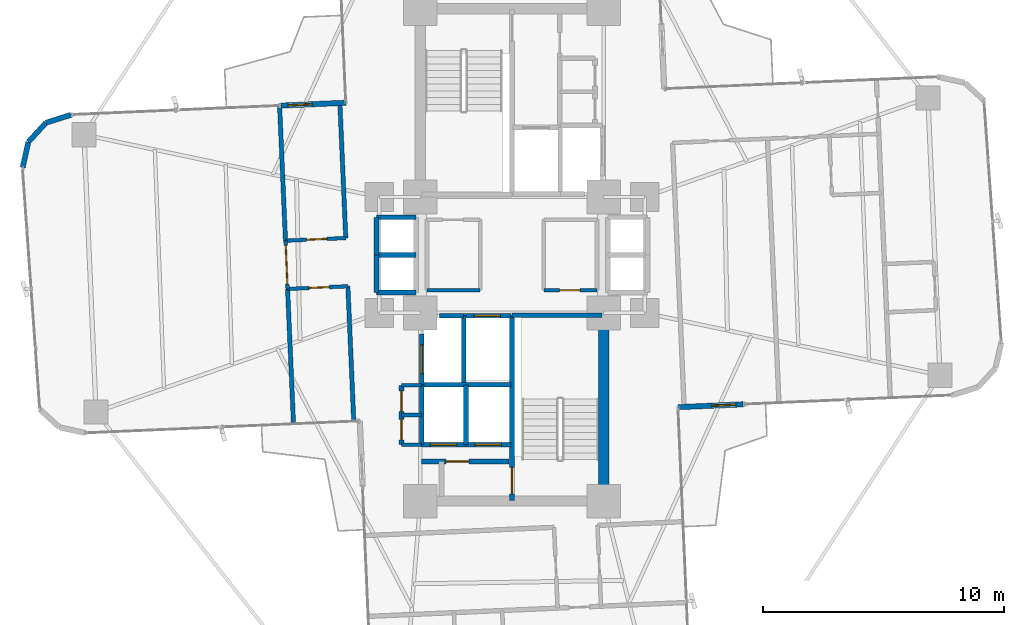
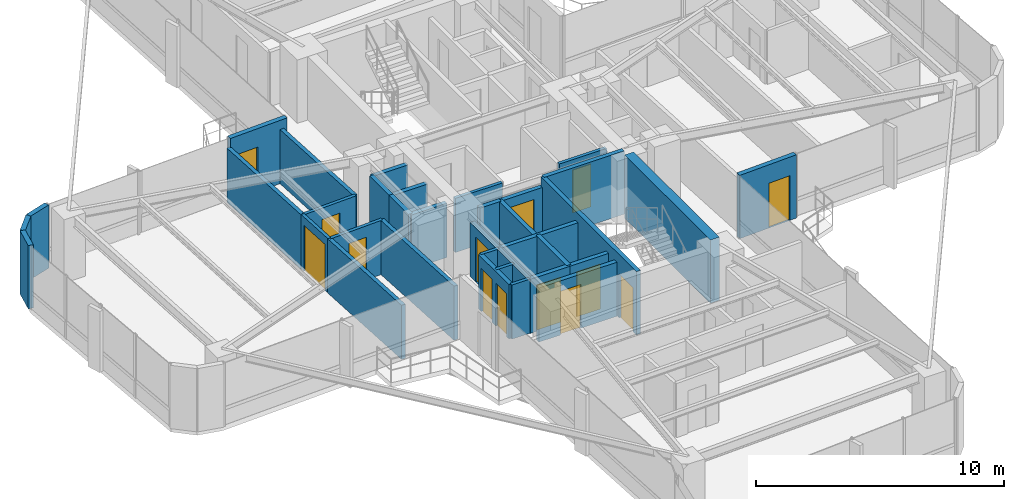
# One storey, part 23 of 26: 36 walls, 14 doors, 14 openings.
"""IFC4 building model written with IfcOpenShell, lengths in metres."""

from ifc_helpers import new_model, si_unit, direction, frame, frame_2d, origin, origin_2d, place, context, subcontext, project, spatial, rectangle, extrude, source, transform, mapped, material, layer, layer_set, type_object, element, fill, save


model = new_model("IFC4")

# Units and contexts
model_context = context("Model", 3, precision=1e-05, world=origin(), true_north=direction((0.0, 1.0)))
body_context = subcontext(model_context, "Body", "Model", "MODEL_VIEW")
ifc_project = project(units=[si_unit("LENGTHUNIT", "METRE"), si_unit("AREAUNIT", "SQUARE_METRE"), si_unit("VOLUMEUNIT", "CUBIC_METRE"), si_unit("PLANEANGLEUNIT", "RADIAN"), si_unit("MASSUNIT", "GRAM", prefix="KILO")], contexts=[model_context])

# Site, building, storey
site_placement = place(None, origin())
site = spatial("IfcSite", under=ifc_project, at=site_placement, CompositionType="ELEMENT")
building_placement = place(site_placement, origin())
building = spatial("IfcBuilding", under=site, at=building_placement, Name="Sahyath Konkavel Grand Hotel", CompositionType="ELEMENT")
storey_placement = place(building_placement, frame((0.0, 0.0, 93.550048828125)))
storey = spatial("IfcBuildingStorey", under=building, at=storey_placement, Name="L25", CompositionType="ELEMENT", Elevation=93.550048828125)

# Wall
ifc_material_1 = material(Name="Concrete C50/60", Category="concrete")
ifc_layer_1 = layer(ifc_material_1, 0.419921875)
ifc_layer_set_1 = layer_set([ifc_layer_1], Name="Concrete C50/60")
wall_type_1 = type_object("IfcWallType", Name="CWALL-420", PredefinedType="SHEAR", material=ifc_layer_set_1)
wall_1_placement = place(storey_placement, frame((3.800048828125, -9.75, 0.0), z_axis=(0.0, 0.0, 1.0), x_axis=(0.0, 1.0, 0.0)))
element("IfcWall", 1, at=wall_1_placement, inside=storey, type_object=wall_type_1, Name="L25 South Core Shear Wall E", PredefinedType="SHEAR", context=body_context, shape_type="SweptSolid", body=[
    extrude(rectangle(XDim=6.89990234375, YDim=0.419921875, at=frame_2d((3.449951171875, 0.0))), origin(), (0.0, 0.0, 1.0), 3.10986328125),
])

# Wall, opening, door
ifc_material_2 = material(Name="Warm Buff Sandstone Insulated Concrete C40/50", Category="masonry")
ifc_layer_2 = layer(ifc_material_2, 0.219970703125)
ifc_layer_set_2 = layer_set([ifc_layer_2], Name="Warm Buff Sandstone Insulated Concrete C40/50")
wall_type_2 = type_object("IfcWallType", Name="WLL-BALC-THRESH", PredefinedType="STANDARD", material=ifc_layer_set_2)
wall_2_placement = place(storey_placement, frame((6.881591796875, -6.305908203125, 0.0), z_axis=(0.0, 0.0, 1.0), x_axis=(0.999045894436, 0.043672655174, 0.0)))
wall_2 = element("IfcWall", 2, at=wall_2_placement, inside=storey, type_object=wall_type_2, Name="L25 Winter-Garden Threshold Wall 0", PredefinedType="STANDARD", context=body_context, shape_type="SweptSolid", body=[
    extrude(rectangle(XDim=2.7001953125, YDim=0.219970703125, at=frame_2d((1.35009765625, 0.0))), origin(), (0.0, 0.0, 1.0), 3.10986328125),
])
opening_1_placement = place(wall_2_placement, frame((1.39990234375, 0.0, 0.0)))
opening_1 = element("IfcOpeningElement", 3, at=opening_1_placement, cuts=wall_2, Name="Opening D-TR1", PredefinedType="OPENING", context=body_context, shape_type="SweptSolid", body=[
    extrude(rectangle(XDim=1.0, YDim=2.199951171875, at=frame_2d((0.5, 1.10009765625))), frame((0.0, 0.1201171875, 0.0), z_axis=(0.0, -1.0, 0.0), x_axis=(1.0, 0.0, 0.0)), (0.0, 0.0, 1.0), 0.239990234375),
])
ifc_material_3 = material(Name="Anodised Bronze Aluminium & Low-E Glazing", Category="aluminium")
door_type_1 = type_object("IfcDoorType", Name="DR-TERRACE-1000", OperationType="NOTDEFINED", PredefinedType="DOOR", material=ifc_material_3)
shared_shape_1 = source(origin(), body_context, "Body", "SweptSolid", [
    extrude(rectangle(XDim=1.0, YDim=0.050048828125, at=origin_2d()), origin(), (0.0, 0.0, 1.0), 2.199951171875),
])
door_1_placement = place(opening_1_placement, frame((0.5, 0.0, 0.0)))
door_1 = element("IfcDoor", 4, at=door_1_placement, inside=storey, type_object=door_type_1, Name="L25 Winter-Garden Terrace Door 0", OperationType="SINGLE_SWING_LEFT", OverallHeight=2.199951171875, OverallWidth=1.0, PredefinedType="DOOR", context=body_context, shape_type="MappedRepresentation", body=[
    mapped(shared_shape_1, transform((0.0, 0.0, 0.0), scale=1.0)),
])
fill(opening_1, door_1)

wall_3_placement = place(storey_placement, frame((-6.881591796875, 6.305908203125, 0.0), z_axis=(0.0, 0.0, 1.0), x_axis=(-0.999045894436, -0.043672655174, 0.0)))
wall_3 = element("IfcWall", 5, at=wall_3_placement, inside=storey, type_object=wall_type_2, Name="L25 Winter-Garden Threshold Wall 16", PredefinedType="STANDARD", context=body_context, shape_type="SweptSolid", body=[
    extrude(rectangle(XDim=2.7001953125, YDim=0.219970703125, at=frame_2d((1.35009765625, 0.0))), origin(), (0.0, 0.0, 1.0), 3.10986328125),
])
opening_2_placement = place(wall_3_placement, frame((1.39990234375, 0.0, 0.0)))
opening_2 = element("IfcOpeningElement", 6, at=opening_2_placement, cuts=wall_3, Name="Opening D-TR1", PredefinedType="OPENING", context=body_context, shape_type="SweptSolid", body=[
    extrude(rectangle(XDim=1.0, YDim=2.199951171875, at=frame_2d((0.5, 1.10009765625))), frame((0.0, 0.1201171875, 0.0), z_axis=(0.0, -1.0, 0.0), x_axis=(1.0, 0.0, 0.0)), (0.0, 0.0, 1.0), 0.239990234375),
])
door_2_placement = place(opening_2_placement, frame((0.5, 0.0, 0.0)))
door_2 = element("IfcDoor", 7, at=door_2_placement, inside=storey, type_object=door_type_1, Name="L25 Winter-Garden Terrace Door 16", OperationType="SINGLE_SWING_LEFT", OverallHeight=2.199951171875, OverallWidth=1.0, PredefinedType="DOOR", context=body_context, shape_type="MappedRepresentation", body=[
    mapped(shared_shape_1, transform((0.0, 0.0, 0.0), scale=1.0)),
])
fill(opening_2, door_2)

# Walls
for number, where, z_axis, x_axis, name in (
    (8, (-18.270751953125, 5.80859375, 0.0), (0.0, 0.0, 1.0), (-0.953721713582, -0.30069069331, 0.0), "L25 Rounded Corner Sandstone Pier 17"),
    (9, (-19.3076171875, 5.481689453125, 0.0), (0.0, 0.0, 1.0), (-0.675551721847, -0.737312600672, 0.0), "L25 Rounded Corner Sandstone Pier 18"),
):
    element("IfcWall", number, at=place(storey_placement, frame(where, z_axis=z_axis, x_axis=x_axis)), inside=storey, type_object=wall_type_2, Name=name, PredefinedType="STANDARD", context=body_context, shape_type="SweptSolid", body=[
        extrude(rectangle(XDim=1.087158203125, YDim=0.219970703125, at=frame_2d((0.54345703125, 0.0))), origin(), (0.0, 0.0, 1.0), 3.10986328125),
    ])
wall_4_placement = place(storey_placement, frame((-20.0419921875, 4.68017578125, 0.0), z_axis=(0.0, 0.0, 1.0), x_axis=(-0.216288323511, -0.976329535102, 0.0)))
element("IfcWall", 10, at=wall_4_placement, inside=storey, type_object=wall_type_2, Name="L25 Rounded Corner Sandstone Pier 19", PredefinedType="STANDARD", context=body_context, shape_type="SweptSolid", body=[
    extrude(rectangle(XDim=1.0869140625, YDim=0.219970703125, at=frame_2d((0.54345703125, 0.0))), origin(), (0.0, 0.0, 1.0), 3.10986328125),
])

# Wall, opening, door
ifc_material_4 = material(Name="Concrete C40/50", Category="concrete")
ifc_layer_3 = layer(ifc_material_4, 0.199951171875)
ifc_layer_set_3 = layer_set([ifc_layer_3], Name="Concrete C40/50")
wall_type_3 = type_object("IfcWallType", Name="WLL-CORE-200", PredefinedType="SOLIDWALL", material=ifc_layer_set_3)
wall_5_placement = place(storey_placement, frame((0.0, -10.179931640625, 0.0), z_axis=(0.0, 0.0, 1.0), x_axis=(0.0, 1.0, 0.0)))
wall_5 = element("IfcWall", 11, at=wall_5_placement, inside=storey, type_object=wall_type_3, Name="L25 Stair ST-2 Shaft Wall W", PredefinedType="SOLIDWALL", context=body_context, shape_type="SweptSolid", body=[
    extrude(rectangle(XDim=7.679931640625, YDim=0.199951171875, at=frame_2d((3.83984375, 0.0))), origin(), (0.0, 0.0, 1.0), 3.10986328125),
])
opening_3_placement = place(wall_5_placement, frame((0.280029296875, 0.0, 0.0)))
opening_3 = element("IfcOpeningElement", 12, at=opening_3_placement, cuts=wall_5, Name="Opening D-F12B", PredefinedType="OPENING", context=body_context, shape_type="SweptSolid", body=[
    extrude(rectangle(XDim=1.10009765625, YDim=2.14990234375, at=frame_2d((0.550048828125, 1.074951171875))), frame((0.0, 0.10986328125, 0.0), z_axis=(0.0, -1.0, 0.0), x_axis=(1.0, 0.0, 0.0)), (0.0, 0.0, 1.0), 0.219970703125),
])
ifc_material_5 = material(Name="Steel E350 Smokeproof Fire Door", Category="steel")
door_type_2 = type_object("IfcDoorType", Name="DR-FD120-1100", OperationType="NOTDEFINED", PredefinedType="DOOR", material=ifc_material_5)
shared_shape_2 = source(origin(), body_context, "Body", "SweptSolid", [
    extrude(rectangle(XDim=1.10009765625, YDim=0.050048828125, at=origin_2d()), origin(), (0.0, 0.0, 1.0), 2.14990234375),
])
door_3_placement = place(opening_3_placement, frame((0.550048828125, 0.0, 0.0)))
door_3 = element("IfcDoor", 13, at=door_3_placement, inside=storey, type_object=door_type_2, Name="L25 Stair ST-2 Fire Door", OperationType="SINGLE_SWING_RIGHT", OverallHeight=2.14990234375, OverallWidth=1.10009765625, PredefinedType="DOOR", context=body_context, shape_type="MappedRepresentation", body=[
    mapped(shared_shape_2, transform((0.0, 0.0, 0.0), scale=1.0)),
])
fill(opening_3, door_3)

# Walls
wall_6_placement = place(storey_placement, frame((0.0, -2.5, 0.0), z_axis=(0.0, 0.0, 1.0), x_axis=(1.0, 0.0, 0.0)))
element("IfcWall", 14, at=wall_6_placement, inside=storey, type_object=wall_type_3, Name="L25 Stair ST-2 Shaft Wall N", PredefinedType="SOLIDWALL", context=body_context, shape_type="SweptSolid", body=[
    extrude(rectangle(XDim=3.719970703125, YDim=0.199951171875, at=frame_2d((1.85986328125, 0.0))), origin(), (0.0, 0.0, 1.0), 3.10986328125),
])
wall_7_placement = place(storey_placement, frame((-2.0, -5.280029296875, 0.0), z_axis=(0.0, 0.0, 1.0), x_axis=(0.0, 1.0, 0.0)))
element("IfcWall", 15, at=wall_7_placement, inside=storey, type_object=wall_type_3, Name="L25 Partition SH-FFL2-W", PredefinedType="SOLIDWALL", context=body_context, shape_type="SweptSolid", body=[
    extrude(rectangle(XDim=2.780029296875, YDim=0.199951171875, at=frame_2d((1.39013671875, 0.0))), origin(), (0.0, 0.0, 1.0), 2.659912109375),
])

# Wall, opening, door
wall_8_placement = place(storey_placement, frame((-2.0, -2.52001953125, 0.0), z_axis=(0.0, 0.0, 1.0), x_axis=(1.0, 0.0, 0.0)))
wall_8 = element("IfcWall", 16, at=wall_8_placement, inside=storey, type_object=wall_type_3, Name="L25 Partition SH-FFL2-N", PredefinedType="SOLIDWALL", context=body_context, shape_type="SweptSolid", body=[
    extrude(rectangle(XDim=1.949951171875, YDim=0.199951171875, at=frame_2d((0.97509765625, 0.0))), origin(), (0.0, 0.0, 1.0), 2.659912109375),
])
opening_4_placement = place(wall_8_placement, frame((0.419921875, 0.0, 0.0)))
opening_4 = element("IfcOpeningElement", 17, at=opening_4_placement, cuts=wall_8, Name="Opening LD-11", PredefinedType="OPENING", context=body_context, shape_type="SweptSolid", body=[
    extrude(rectangle(XDim=1.10009765625, YDim=2.199951171875, at=frame_2d((0.550048828125, 1.10009765625))), frame((0.0, 0.10986328125, 0.0), z_axis=(0.0, -1.0, 0.0), x_axis=(1.0, 0.0, 0.0)), (0.0, 0.0, 1.0), 0.219970703125),
])
ifc_material_6 = material(Name="Bronze Lift Landing Door 1100")
door_type_3 = type_object("IfcDoorType", Name="DR-LIFT-1100", OperationType="DOUBLE_DOOR_SLIDING", PredefinedType="DOOR", material=ifc_material_6)
shared_shape_3 = source(origin(), body_context, "Body", "SweptSolid", [
    extrude(rectangle(XDim=1.10009765625, YDim=0.050048828125, at=origin_2d()), origin(), (0.0, 0.0, 1.0), 2.199951171875),
])
door_4_placement = place(opening_4_placement, frame((0.550048828125, 0.0, 0.0)))
door_4 = element("IfcDoor", 18, at=door_4_placement, inside=storey, type_object=door_type_3, Name="L25 Lift FFL-2 Landing Door", OperationType="DOUBLE_DOOR_SLIDING", OverallHeight=2.199951171875, OverallWidth=1.10009765625, PredefinedType="DOOR", context=body_context, shape_type="MappedRepresentation", body=[
    mapped(shared_shape_3, transform((0.0, 0.0, 0.0), scale=1.0)),
])
fill(opening_4, door_4)

# Wall
wall_9_placement = place(storey_placement, frame((-3.0, -2.52001953125, 0.0), z_axis=(0.0, 0.0, 1.0), x_axis=(1.0, 0.0, 0.0)))
element("IfcWall", 19, at=wall_9_placement, inside=storey, type_object=wall_type_3, Name="L25 Partition SH-SVL2-N", PredefinedType="SOLIDWALL", context=body_context, shape_type="SweptSolid", body=[
    extrude(rectangle(XDim=1.0, YDim=0.199951171875, at=frame_2d((0.5, 0.0))), origin(), (0.0, 0.0, 1.0), 2.659912109375),
])

# Wall, opening, door
wall_10_placement = place(storey_placement, frame((-3.739990234375, -5.360107421875, 0.0), z_axis=(0.0, 0.0, 1.0), x_axis=(0.0, 1.0, 0.0)))
wall_10 = element("IfcWall", 20, at=wall_10_placement, inside=storey, type_object=wall_type_3, Name="L25 Partition SH-SVL2-W", PredefinedType="SOLIDWALL", context=body_context, shape_type="SweptSolid", body=[
    extrude(rectangle(XDim=2.080078125, YDim=0.199951171875, at=frame_2d((1.0400390625, 0.0))), origin(), (0.0, 0.0, 1.0), 2.659912109375),
])
opening_5_placement = place(wall_10_placement, frame((0.43994140625, 0.0, 0.0)))
opening_5 = element("IfcOpeningElement", 21, at=opening_5_placement, cuts=wall_10, Name="Opening LD-12", PredefinedType="OPENING", context=body_context, shape_type="SweptSolid", body=[
    extrude(rectangle(XDim=1.199951171875, YDim=2.199951171875, at=frame_2d((0.60009765625, 1.10009765625))), frame((0.0, 0.10986328125, 0.0), z_axis=(0.0, -1.0, 0.0), x_axis=(1.0, 0.0, 0.0)), (0.0, 0.0, 1.0), 0.219970703125),
])
ifc_material_7 = material(Name="Stainless Steel Lift Landing Door 1200", Category="steel")
door_type_4 = type_object("IfcDoorType", Name="DR-LIFT-1200", OperationType="DOUBLE_DOOR_SLIDING", PredefinedType="DOOR", material=ifc_material_7)
shared_shape_4 = source(origin(), body_context, "Body", "SweptSolid", [
    extrude(rectangle(XDim=1.199951171875, YDim=0.050048828125, at=origin_2d()), origin(), (0.0, 0.0, 1.0), 2.199951171875),
])
door_5_placement = place(opening_5_placement, frame((0.60009765625, 0.0, 0.0)))
door_5 = element("IfcDoor", 22, at=door_5_placement, inside=storey, type_object=door_type_4, Name="L25 Service Lift SVL-2 Landing Door", OperationType="DOUBLE_DOOR_SLIDING", OverallHeight=2.199951171875, OverallWidth=1.199951171875, PredefinedType="DOOR", context=body_context, shape_type="MappedRepresentation", body=[
    mapped(shared_shape_4, transform((0.0, 0.0, 0.0), scale=1.0)),
])
fill(opening_5, door_5)

# Wall
wall_11_placement = place(storey_placement, frame((-3.739990234375, -7.860107421875, 0.0), z_axis=(0.0, 0.0, 1.0), x_axis=(0.0, 1.0, 0.0)))
element("IfcWall", 23, at=wall_11_placement, inside=storey, type_object=wall_type_3, Name="L25 Partition SH-PL3-W", PredefinedType="SOLIDWALL", context=body_context, shape_type="SweptSolid", body=[
    extrude(rectangle(XDim=2.480224609375, YDim=0.199951171875, at=frame_2d((1.240234375, 0.0))), origin(), (0.0, 0.0, 1.0), 2.659912109375),
])

# Wall, opening, door
wall_12_placement = place(storey_placement, frame((-3.739990234375, -7.860107421875, 0.0), z_axis=(0.0, 0.0, 1.0), x_axis=(1.0, 0.0, 0.0)))
wall_12 = element("IfcWall", 24, at=wall_12_placement, inside=storey, type_object=wall_type_3, Name="L25 Partition SH-PL3-S", PredefinedType="SOLIDWALL", context=body_context, shape_type="SweptSolid", body=[
    extrude(rectangle(XDim=1.840087890625, YDim=0.199951171875, at=frame_2d((0.919921875, 0.0))), origin(), (0.0, 0.0, 1.0), 2.659912109375),
])
opening_6_placement = place(wall_12_placement, frame((0.360107421875, 0.0, 0.0)))
opening_6 = element("IfcOpeningElement", 25, at=opening_6_placement, cuts=wall_12, Name="Opening LD-11", PredefinedType="OPENING", context=body_context, shape_type="SweptSolid", body=[
    extrude(rectangle(XDim=1.10009765625, YDim=2.199951171875, at=frame_2d((0.550048828125, 1.10009765625))), frame((0.0, 0.10986328125, 0.0), z_axis=(0.0, -1.0, 0.0), x_axis=(1.0, 0.0, 0.0)), (0.0, 0.0, 1.0), 0.219970703125),
])
door_6_placement = place(opening_6_placement, frame((0.550048828125, 0.0, 0.0)))
door_6 = element("IfcDoor", 26, at=door_6_placement, inside=storey, type_object=door_type_3, Name="L25 Passenger Lift PL-3 Landing Door", OperationType="DOUBLE_DOOR_SLIDING", OverallHeight=2.199951171875, OverallWidth=1.10009765625, PredefinedType="DOOR", context=body_context, shape_type="MappedRepresentation", body=[
    mapped(shared_shape_3, transform((0.0, 0.0, 0.0), scale=1.0)),
])
fill(opening_6, door_6)

# Walls
wall_13_placement = place(storey_placement, frame((-3.739990234375, -5.3798828125, 0.0), z_axis=(0.0, 0.0, 1.0), x_axis=(1.0, 0.0, 0.0)))
element("IfcWall", 27, at=wall_13_placement, inside=storey, type_object=wall_type_3, Name="L25 Partition SH-PL34-N", PredefinedType="SOLIDWALL", context=body_context, shape_type="SweptSolid", body=[
    extrude(rectangle(XDim=3.68994140625, YDim=0.199951171875, at=frame_2d((1.844970703125, 0.0))), origin(), (0.0, 0.0, 1.0), 2.659912109375),
])
wall_14_placement = place(storey_placement, frame((-1.89990234375, -7.860107421875, 0.0), z_axis=(0.0, 0.0, 1.0), x_axis=(0.0, 1.0, 0.0)))
element("IfcWall", 28, at=wall_14_placement, inside=storey, type_object=wall_type_3, Name="L25 Partition SH-PL34-M", PredefinedType="SOLIDWALL", context=body_context, shape_type="SweptSolid", body=[
    extrude(rectangle(XDim=2.480224609375, YDim=0.199951171875, at=frame_2d((1.240234375, 0.0))), origin(), (0.0, 0.0, 1.0), 2.659912109375),
])

# Wall, opening, door
wall_15_placement = place(storey_placement, frame((-1.89990234375, -7.860107421875, 0.0), z_axis=(0.0, 0.0, 1.0), x_axis=(1.0, 0.0, 0.0)))
wall_15 = element("IfcWall", 29, at=wall_15_placement, inside=storey, type_object=wall_type_3, Name="L25 Partition SH-PL4-S", PredefinedType="SOLIDWALL", context=body_context, shape_type="SweptSolid", body=[
    extrude(rectangle(XDim=1.849853515625, YDim=0.199951171875, at=frame_2d((0.9248046875, 0.0))), origin(), (0.0, 0.0, 1.0), 2.659912109375),
])
opening_7_placement = place(wall_15_placement, frame((0.360107421875, 0.0, 0.0)))
opening_7 = element("IfcOpeningElement", 30, at=opening_7_placement, cuts=wall_15, Name="Opening LD-11", PredefinedType="OPENING", context=body_context, shape_type="SweptSolid", body=[
    extrude(rectangle(XDim=1.10009765625, YDim=2.199951171875, at=frame_2d((0.550048828125, 1.10009765625))), frame((0.0, 0.10986328125, 0.0), z_axis=(0.0, -1.0, 0.0), x_axis=(1.0, 0.0, 0.0)), (0.0, 0.0, 1.0), 0.219970703125),
])
door_7_placement = place(opening_7_placement, frame((0.550048828125, 0.0, 0.0)))
door_7 = element("IfcDoor", 31, at=door_7_placement, inside=storey, type_object=door_type_3, Name="L25 Passenger Lift PL-4 Landing Door", OperationType="DOUBLE_DOOR_SLIDING", OverallHeight=2.199951171875, OverallWidth=1.10009765625, PredefinedType="DOOR", context=body_context, shape_type="MappedRepresentation", body=[
    mapped(shared_shape_3, transform((0.0, 0.0, 0.0), scale=1.0)),
])
fill(opening_7, door_7)

# Walls
for number, where, z_axis, x_axis, name in (
    (32, (-5.6201171875, 1.56005859375, 0.0), (0.0, 0.0, 1.0), (1.0, 0.0, 0.0), "L25 Partition SH-SL12-N"),
    (33, (-5.6201171875, -1.56005859375, 0.0), (0.0, 0.0, 1.0), (1.0, 0.0, 0.0), "L25 Partition SH-SL12-S"),
    (34, (-5.6201171875, 0.0, 0.0), (0.0, 0.0, 1.0), (1.0, 0.0, 0.0), "L25 Partition SH-SL12-M"),
):
    element("IfcWall", number, at=place(storey_placement, frame(where, z_axis=z_axis, x_axis=x_axis)), inside=storey, type_object=wall_type_3, Name=name, PredefinedType="SOLIDWALL", context=body_context, shape_type="SweptSolid", body=[
        extrude(rectangle(XDim=1.64013671875, YDim=0.199951171875, at=frame_2d((0.820068359375, 0.0))), origin(), (0.0, 0.0, 1.0), 2.659912109375),
    ])
for number, where, z_axis, x_axis, name in (
    (35, (-5.6201171875, 0.0, 0.0), (0.0, 0.0, 1.0), (0.0, 1.0, 0.0), "L25 Partition SH-SL1-W"),
    (36, (-5.6201171875, -1.56005859375, 0.0), (0.0, 0.0, 1.0), (0.0, 1.0, 0.0), "L25 Partition SH-SL2-W"),
):
    element("IfcWall", number, at=place(storey_placement, frame(where, z_axis=z_axis, x_axis=x_axis)), inside=storey, type_object=wall_type_3, Name=name, PredefinedType="SOLIDWALL", context=body_context, shape_type="SweptSolid", body=[
        extrude(rectangle(XDim=1.56005859375, YDim=0.199951171875, at=frame_2d((0.780029296875, 0.0))), origin(), (0.0, 0.0, 1.0), 2.659912109375),
    ])

# Wall, opening, door
wall_16_placement = place(storey_placement, frame((-3.739990234375, -8.56005859375, 0.0), z_axis=(0.0, 0.0, 1.0), x_axis=(1.0, 0.0, 0.0)))
wall_16 = element("IfcWall", 37, at=wall_16_placement, inside=storey, type_object=wall_type_3, Name="L25 South FF Lobby Separation Wall", PredefinedType="SOLIDWALL", context=body_context, shape_type="SweptSolid", body=[
    extrude(rectangle(XDim=3.619873046875, YDim=0.199951171875, at=frame_2d((1.81005859375, 0.0))), origin(), (0.0, 0.0, 1.0), 2.659912109375),
])
opening_8_placement = place(wall_16_placement, frame((1.0, 0.0, 0.0)))
opening_8 = element("IfcOpeningElement", 38, at=opening_8_placement, cuts=wall_16, Name="Opening D-F12C", PredefinedType="OPENING", context=body_context, shape_type="SweptSolid", body=[
    extrude(rectangle(XDim=0.949951171875, YDim=2.14990234375, at=frame_2d((0.47509765625, 1.074951171875))), frame((0.0, 0.10986328125, 0.0), z_axis=(0.0, -1.0, 0.0), x_axis=(1.0, 0.0, 0.0)), (0.0, 0.0, 1.0), 0.219970703125),
])
ifc_material_8 = material(Name="Steel E350 Plant Fire Door", Category="steel")
door_type_5 = type_object("IfcDoorType", Name="DR-FD120-950", OperationType="NOTDEFINED", PredefinedType="DOOR", material=ifc_material_8)
shared_shape_5 = source(origin(), body_context, "Body", "SweptSolid", [
    extrude(rectangle(XDim=0.949951171875, YDim=0.050048828125, at=origin_2d()), origin(), (0.0, 0.0, 1.0), 2.14990234375),
])
door_8_placement = place(opening_8_placement, frame((0.47509765625, 0.0, 0.0)))
door_8 = element("IfcDoor", 39, at=door_8_placement, inside=storey, type_object=door_type_5, Name="L25 South Firefighting Lobby Door", OperationType="SINGLE_SWING_LEFT", OverallHeight=2.14990234375, OverallWidth=0.949951171875, PredefinedType="DOOR", context=body_context, shape_type="MappedRepresentation", body=[
    mapped(shared_shape_5, transform((0.0, 0.0, 0.0), scale=1.0)),
])
fill(opening_8, door_8)

# Wall, openings, doors
wall_17_placement = place(storey_placement, frame((-4.580078125, -7.860107421875, 0.0), z_axis=(0.0, 0.0, 1.0), x_axis=(0.0, 1.0, 0.0)))
wall_17 = element("IfcWall", 40, at=wall_17_placement, inside=storey, type_object=wall_type_3, Name="L25 Partition SC-FLK-W", PredefinedType="SOLIDWALL", context=body_context, shape_type="SweptSolid", body=[
    extrude(rectangle(XDim=2.460205078125, YDim=0.199951171875, at=frame_2d((1.22998046875, 0.0))), origin(), (0.0, 0.0, 1.0), 2.659912109375),
])
opening_9_placement = place(wall_17_placement, frame((0.199951171875, 0.0, 0.0)))
opening_9 = element("IfcOpeningElement", 41, at=opening_9_placement, cuts=wall_17, Name="Opening D-F06D", PredefinedType="OPENING", context=body_context, shape_type="SweptSolid", body=[
    extrude(rectangle(XDim=0.85009765625, YDim=2.10009765625, at=frame_2d((0.425048828125, 1.050048828125))), frame((0.0, 0.10986328125, 0.0), z_axis=(0.0, -1.0, 0.0), x_axis=(1.0, 0.0, 0.0)), (0.0, 0.0, 1.0), 0.219970703125),
])
opening_10_placement = place(wall_17_placement, frame((1.3798828125, 0.0, 0.0)))
opening_10 = element("IfcOpeningElement", 42, at=opening_10_placement, cuts=wall_17, Name="Opening D-F06D", PredefinedType="OPENING", context=body_context, shape_type="SweptSolid", body=[
    extrude(rectangle(XDim=0.85009765625, YDim=2.10009765625, at=frame_2d((0.425048828125, 1.050048828125))), frame((0.0, 0.10986328125, 0.0), z_axis=(0.0, -1.0, 0.0), x_axis=(1.0, 0.0, 0.0)), (0.0, 0.0, 1.0), 0.219970703125),
])
ifc_material_9 = material(Name="Fire-Rated Shaft Access Door")
door_type_6 = type_object("IfcDoorType", Name="DR-FD60-850", OperationType="NOTDEFINED", PredefinedType="DOOR", material=ifc_material_9)
shared_shape_6 = source(origin(), body_context, "Body", "SweptSolid", [
    extrude(rectangle(XDim=0.85009765625, YDim=0.050048828125, at=origin_2d()), origin(), (0.0, 0.0, 1.0), 2.10009765625),
])
door_9_placement = place(opening_9_placement, frame((0.425048828125, 0.0, 0.0)))
door_9 = element("IfcDoor", 43, at=door_9_placement, inside=storey, type_object=door_type_6, Name="L25 Door SC-FLK1-D", OperationType="SINGLE_SWING_RIGHT", OverallHeight=2.10009765625, OverallWidth=0.85009765625, PredefinedType="DOOR", context=body_context, shape_type="MappedRepresentation", body=[
    mapped(shared_shape_6, transform((0.0, 0.0, 0.0), scale=1.0)),
])
fill(opening_9, door_9)
door_10_placement = place(opening_10_placement, frame((0.425048828125, 0.0, 0.0)))
door_10 = element("IfcDoor", 44, at=door_10_placement, inside=storey, type_object=door_type_6, Name="L25 Door SC-FLK2-D", OperationType="SINGLE_SWING_LEFT", OverallHeight=2.10009765625, OverallWidth=0.85009765625, PredefinedType="DOOR", context=body_context, shape_type="MappedRepresentation", body=[
    mapped(shared_shape_6, transform((0.0, 0.0, 0.0), scale=1.0)),
])
fill(opening_10, door_10)

# Walls
ifc_material_10 = material(Name="Twin-Stud Acoustic Gypsum Plasterboard Partition")
ifc_layer_4 = layer(ifc_material_10, 0.179931640625)
ifc_layer_set_4 = layer_set([ifc_layer_4], Name="Twin-Stud Acoustic Gypsum Plasterboard Partition")
wall_type_4 = type_object("IfcWallType", Name="WLL-DEMISE-180", PredefinedType="PARTITIONING", material=ifc_layer_set_4)
wall_18_placement = place(storey_placement, frame((-6.7998046875, -1.2978515625, 0.0), z_axis=(0.0, 0.0, 1.0), x_axis=(0.04359376056, -0.999049340143, 0.0)))
element("IfcWall", 45, at=wall_18_placement, inside=storey, type_object=wall_type_4, Name="L25 Partition W-I0L", PredefinedType="PARTITIONING", context=body_context, shape_type="SweptSolid", body=[
    extrude(rectangle(XDim=5.550048828125, YDim=0.179931640625, at=frame_2d((2.77490234375, 0.0))), origin(), (0.0, 0.0, 1.0), 2.659912109375),
])
wall_19_placement = place(storey_placement, frame((-7.129150390625, 6.2451171875, 0.0), z_axis=(0.0, 0.0, 1.0), x_axis=(0.043591844792, -0.999049423736, 0.0)))
element("IfcWall", 46, at=wall_19_placement, inside=storey, type_object=wall_type_4, Name="L25 Partition W-I0R", PredefinedType="PARTITIONING", context=body_context, shape_type="SweptSolid", body=[
    extrude(rectangle(XDim=5.55029296875, YDim=0.179931640625, at=frame_2d((2.775146484375, 0.0))), origin(), (0.0, 0.0, 1.0), 2.659912109375),
])
for number, where, z_axis, x_axis, name in (
    (47, (-9.384765625, 0.59130859375, 0.0), (0.0, 0.0, 1.0), (-0.04359376056, 0.999049340143, 0.0), "L25 Partition W-WHK0-DEM"),
    (48, (-9.297607421875, -1.406982421875, 0.0), (0.0, 0.0, 1.0), (0.043637666503, -0.99904742333, 0.0), "L25 Partition W-WST0-DEM"),
):
    element("IfcWall", number, at=place(storey_placement, frame(where, z_axis=z_axis, x_axis=x_axis)), inside=storey, type_object=wall_type_4, Name=name, PredefinedType="PARTITIONING", context=body_context, shape_type="SweptSolid", body=[
        extrude(rectangle(XDim=5.550048828125, YDim=0.179931640625, at=frame_2d((2.77490234375, 0.0))), origin(), (0.0, 0.0, 1.0), 2.659912109375),
    ])
ifc_material_11 = material(Name="Fire-Rated Gypsum Plasterboard Partition")
ifc_layer_5 = layer(ifc_material_11, 0.14990234375)
ifc_layer_set_5 = layer_set([ifc_layer_5], Name="Fire-Rated Gypsum Plasterboard Partition")
wall_type_5 = type_object("IfcWallType", Name="WLL-PART-150", PredefinedType="PARTITIONING", material=ifc_layer_set_5)
for number, where, z_axis, x_axis, name in (
    (49, (-4.580078125, -5.39990234375, 0.0), (0.0, 0.0, 1.0), (1.0, 0.0, 0.0), "L25 Partition SC-FLK-N"),
    (50, (-4.580078125, -7.860107421875, 0.0), (0.0, 0.0, 1.0), (1.0, 0.0, 0.0), "L25 Partition SC-FLK-S"),
    (51, (-4.580078125, -6.6298828125, 0.0), (0.0, 0.0, 1.0), (1.0, 0.0, 0.0), "L25 Partition SC-FLK-M"),
):
    element("IfcWall", number, at=place(storey_placement, frame(where, z_axis=z_axis, x_axis=x_axis)), inside=storey, type_object=wall_type_5, Name=name, PredefinedType="PARTITIONING", context=body_context, shape_type="SweptSolid", body=[
        extrude(rectangle(XDim=0.840087890625, YDim=0.14990234375, at=frame_2d((0.419921875, 0.0))), origin(), (0.0, 0.0, 1.0), 2.659912109375),
    ])
wall_20_placement = place(storey_placement, frame((-3.52001953125, -1.4599609375, 0.0), z_axis=(0.0, 0.0, 1.0), x_axis=(1.0, 0.0, 0.0)))
element("IfcWall", 52, at=wall_20_placement, inside=storey, type_object=wall_type_5, Name="L25 Partition CC-1WS", PredefinedType="PARTITIONING", context=body_context, shape_type="SweptSolid", body=[
    extrude(rectangle(XDim=2.199951171875, YDim=0.14990234375, at=frame_2d((1.10009765625, 0.0))), origin(), (0.0, 0.0, 1.0), 2.659912109375),
])

# Wall, opening, door
wall_21_placement = place(storey_placement, frame((1.320068359375, -1.4599609375, 0.0), z_axis=(0.0, 0.0, 1.0), x_axis=(1.0, 0.0, 0.0)))
wall_21 = element("IfcWall", 53, at=wall_21_placement, inside=storey, type_object=wall_type_5, Name="L25 Partition CC-1ES", PredefinedType="PARTITIONING", context=body_context, shape_type="SweptSolid", body=[
    extrude(rectangle(XDim=2.199951171875, YDim=0.14990234375, at=frame_2d((1.10009765625, 0.0))), origin(), (0.0, 0.0, 1.0), 2.659912109375),
])
opening_11_placement = place(wall_21_placement, frame((0.64990234375, 0.0, 0.0)))
opening_11 = element("IfcOpeningElement", 54, at=opening_11_placement, cuts=wall_21, Name="Opening D-F06D", PredefinedType="OPENING", context=body_context, shape_type="SweptSolid", body=[
    extrude(rectangle(XDim=0.85009765625, YDim=2.10009765625, at=frame_2d((0.425048828125, 1.050048828125))), frame((0.0, 0.0849609375, 0.0), z_axis=(0.0, -1.0, 0.0), x_axis=(1.0, 0.0, 0.0)), (0.0, 0.0, 1.0), 0.169921875),
])
door_11_placement = place(opening_11_placement, frame((0.425048828125, 0.0, 0.0)))
door_11 = element("IfcDoor", 55, at=door_11_placement, inside=storey, type_object=door_type_6, Name="L25 Door CC-D1E", OperationType="SINGLE_SWING_LEFT", OverallHeight=2.10009765625, OverallWidth=0.85009765625, PredefinedType="DOOR", context=body_context, shape_type="MappedRepresentation", body=[
    mapped(shared_shape_6, transform((0.0, 0.0, 0.0), scale=1.0)),
])
fill(opening_11, door_11)

wall_22_placement = place(storey_placement, frame((-6.7998046875, -1.2978515625, 0.0), z_axis=(0.0, 0.0, 1.0), x_axis=(-0.999046923717, -0.043649103206, 0.0)))
wall_22 = element("IfcWall", 56, at=wall_22_placement, inside=storey, type_object=wall_type_5, Name="L25 Partition W-C0L", PredefinedType="PARTITIONING", context=body_context, shape_type="SweptSolid", body=[
    extrude(rectangle(XDim=2.500244140625, YDim=0.14990234375, at=frame_2d((1.25, 0.0))), origin(), (0.0, 0.0, 1.0), 2.659912109375),
])
opening_12_placement = place(wall_22_placement, frame((0.77490234375, 0.0, 0.0)))
opening_12 = element("IfcOpeningElement", 57, at=opening_12_placement, cuts=wall_22, Name="Opening D-F06D", PredefinedType="OPENING", context=body_context, shape_type="SweptSolid", body=[
    extrude(rectangle(XDim=0.85009765625, YDim=2.10009765625, at=frame_2d((0.425048828125, 1.050048828125))), frame((0.0, 0.0849609375, 0.0), z_axis=(0.0, -1.0, 0.0), x_axis=(1.0, 0.0, 0.0)), (0.0, 0.0, 1.0), 0.169921875),
])
door_12_placement = place(opening_12_placement, frame((0.425048828125, 0.0, 0.0)))
door_12 = element("IfcDoor", 58, at=door_12_placement, inside=storey, type_object=door_type_6, Name="L25 Door W-WST0-D", OperationType="SINGLE_SWING_LEFT", OverallHeight=2.10009765625, OverallWidth=0.85009765625, PredefinedType="DOOR", context=body_context, shape_type="MappedRepresentation", body=[
    mapped(shared_shape_6, transform((0.0, 0.0, 0.0), scale=1.0)),
])
fill(opening_12, door_12)

wall_23_placement = place(storey_placement, frame((-6.88720703125, 0.7001953125, 0.0), z_axis=(0.0, 0.0, 1.0), x_axis=(-0.999050991967, -0.043555888799, 0.0)))
wall_23 = element("IfcWall", 59, at=wall_23_placement, inside=storey, type_object=wall_type_5, Name="L25 Partition W-C0R", PredefinedType="PARTITIONING", context=body_context, shape_type="SweptSolid", body=[
    extrude(rectangle(XDim=2.5, YDim=0.14990234375, at=frame_2d((1.25, 0.0))), origin(), (0.0, 0.0, 1.0), 2.659912109375),
])
opening_13_placement = place(wall_23_placement, frame((0.77490234375, 0.0, 0.0)))
opening_13 = element("IfcOpeningElement", 60, at=opening_13_placement, cuts=wall_23, Name="Opening D-F06D", PredefinedType="OPENING", context=body_context, shape_type="SweptSolid", body=[
    extrude(rectangle(XDim=0.85009765625, YDim=2.10009765625, at=frame_2d((0.425048828125, 1.050048828125))), frame((0.0, 0.0849609375, 0.0), z_axis=(0.0, -1.0, 0.0), x_axis=(1.0, 0.0, 0.0)), (0.0, 0.0, 1.0), 0.169921875),
])
door_13_placement = place(opening_13_placement, frame((0.425048828125, 0.0, 0.0)))
door_13 = element("IfcDoor", 61, at=door_13_placement, inside=storey, type_object=door_type_6, Name="L25 Door W-WHK0-D", OperationType="SINGLE_SWING_RIGHT", OverallHeight=2.10009765625, OverallWidth=0.85009765625, PredefinedType="DOOR", context=body_context, shape_type="MappedRepresentation", body=[
    mapped(shared_shape_6, transform((0.0, 0.0, 0.0), scale=1.0)),
])
fill(opening_13, door_13)

wall_24_placement = place(storey_placement, frame((-9.384765625, 0.59130859375, 0.0), z_axis=(0.0, 0.0, 1.0), x_axis=(0.043574942884, -0.999050161079, 0.0)))
wall_24 = element("IfcWall", 62, at=wall_24_placement, inside=storey, type_object=wall_type_5, Name="L25 Partition W-SAL-IN", PredefinedType="PARTITIONING", context=body_context, shape_type="SweptSolid", body=[
    extrude(rectangle(XDim=2.000244140625, YDim=0.14990234375, at=frame_2d((1.0, 0.0))), origin(), (0.0, 0.0, 1.0), 2.659912109375),
])
opening_14_placement = place(wall_24_placement, frame((0.199951171875, 0.0, 0.0)))
opening_14 = element("IfcOpeningElement", 63, at=opening_14_placement, cuts=wall_24, Name="Opening D-DB16", PredefinedType="OPENING", context=body_context, shape_type="SweptSolid", body=[
    extrude(rectangle(XDim=1.60009765625, YDim=2.25, at=frame_2d((0.800048828125, 1.125))), frame((0.0, 0.0849609375, 0.0), z_axis=(0.0, -1.0, 0.0), x_axis=(1.0, 0.0, 0.0)), (0.0, 0.0, 1.0), 0.169921875),
])
ifc_material_12 = material(Name="Double Leaf Lounge Glazed Timber Door", Category="wood")
door_type_7 = type_object("IfcDoorType", Name="DR-DBL-1600", OperationType="DOUBLE_DOOR_SINGLE_SWING", PredefinedType="DOOR", material=ifc_material_12)
shared_shape_7 = source(origin(), body_context, "Body", "SweptSolid", [
    extrude(rectangle(XDim=1.60009765625, YDim=0.050048828125, at=origin_2d()), origin(), (0.0, 0.0, 1.0), 2.25),
])
door_14_placement = place(opening_14_placement, frame((0.800048828125, 0.0, 0.0)))
door_14 = element("IfcDoor", 64, at=door_14_placement, inside=storey, type_object=door_type_7, Name="L25 Door W-SAL-D", OperationType="DOUBLE_DOOR_SINGLE_SWING", OverallHeight=2.25, OverallWidth=1.60009765625, PredefinedType="DOOR", context=body_context, shape_type="MappedRepresentation", body=[
    mapped(shared_shape_7, transform((0.0, 0.0, 0.0), scale=1.0)),
])
fill(opening_14, door_14)

save(model, "model.ifc")
